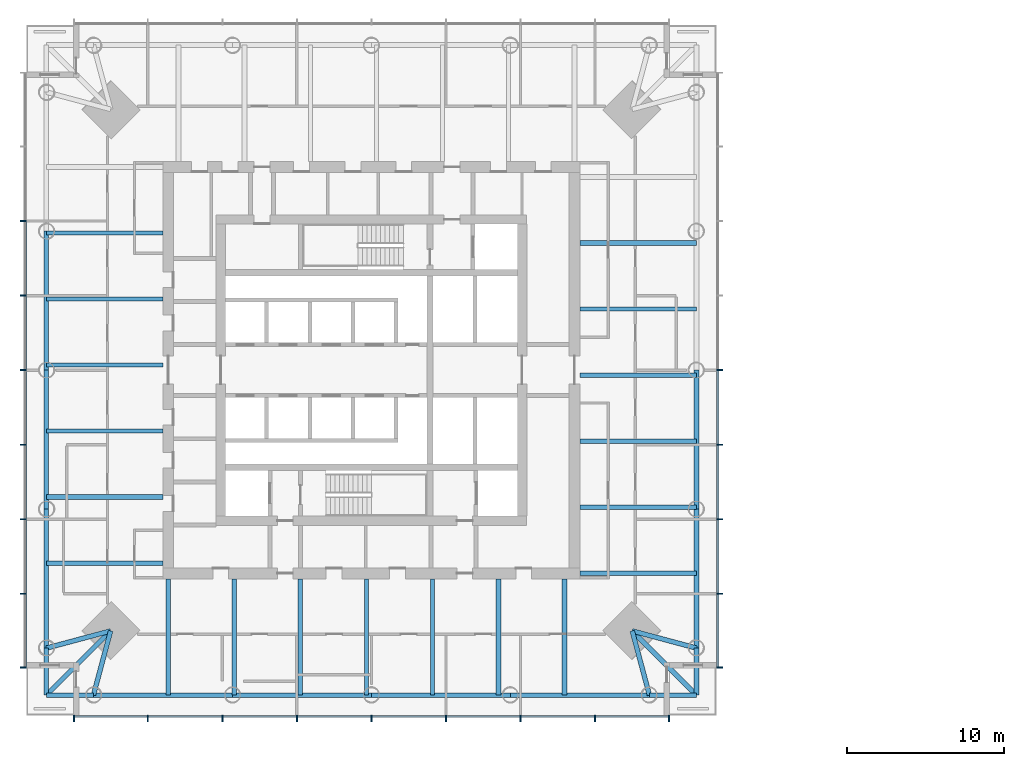
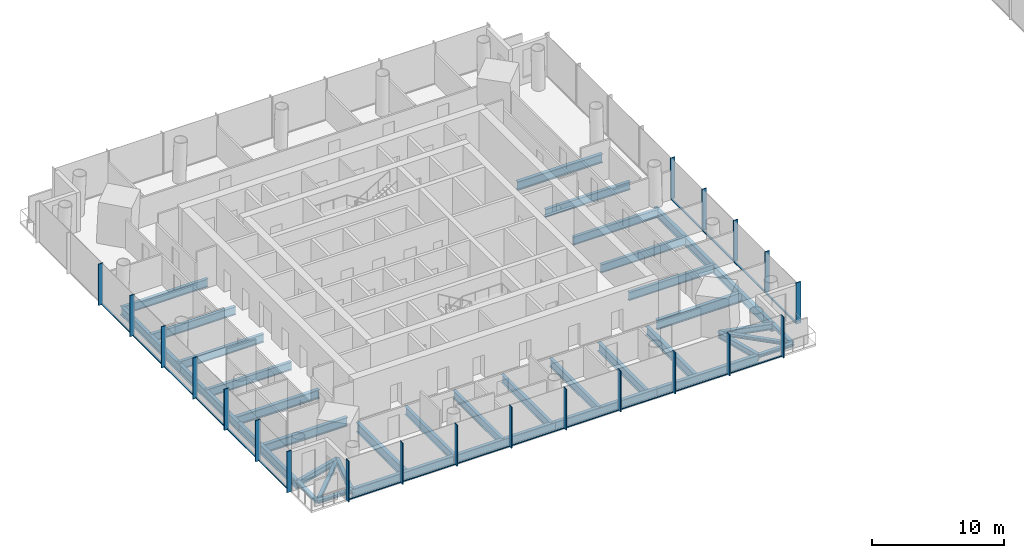
# One storey, part 2 of 18: 39 members, 38 beams, 3 elements without a shape of their own.
"""IFC4 building model written with IfcOpenShell, lengths in metres."""

from ifc_helpers import new_model, si_unit, direction, frame, origin, origin_2d, place, context, subcontext, project, spatial, rectangle, i_section, extrude, material, material_profile, profile_set, type_object, element, aggregate, save


model = new_model("IFC4")

# Units and contexts
model_context = context("Model", 3, precision=1e-05, world=origin(), true_north=direction((0.0, 1.0)))
body_context = subcontext(model_context, "Body", "Model", "MODEL_VIEW")
ifc_project = project(units=[si_unit("LENGTHUNIT", "METRE"), si_unit("AREAUNIT", "SQUARE_METRE"), si_unit("VOLUMEUNIT", "CUBIC_METRE"), si_unit("PLANEANGLEUNIT", "RADIAN"), si_unit("MASSUNIT", "GRAM", prefix="KILO")], contexts=[model_context])

# Site, building, storey
site_placement = place(None, origin())
site = spatial("IfcSite", under=ifc_project, at=site_placement, CompositionType="ELEMENT")
building_placement = place(site_placement, origin())
building = spatial("IfcBuilding", under=site, at=building_placement, Name="Ostroluk Exchange", CompositionType="ELEMENT")
storey_placement = place(building_placement, frame((0.0, 0.0, 123.60009765625)))
storey = spatial("IfcBuildingStorey", under=building, at=storey_placement, Name="L31", CompositionType="ELEMENT", Elevation=123.60009765625)

# Beams
ifc_material_1 = material(Name="Steel S355", Category="steel")
ifc_material_profile_1 = material_profile(ifc_material_1, i_section(OverallWidth=0.300048828125, OverallDepth=0.300048828125, WebThickness=0.010986328125, FlangeThickness=0.01904296875, FilletRadius=0.027099609375, at=origin_2d()), Name="HEB 300")
ifc_profile_set_1 = profile_set([ifc_material_profile_1], Name="Steel S355")
beam_type_1 = type_object("IfcBeamType", Name="Balcony beam HEB 300", PredefinedType="BEAM", material=ifc_profile_set_1)
for number, where, z_axis, x_axis, name in (
    (1, (24.278564453125, 28.278564453125, -0.330078125), (0.0, -1.0, 0.0), (1.0, 0.0, 0.0), "T1 west balcony beam a"),
    (2, (27.278564453125, 25.278564453125, -0.330078125), (-1.0, 0.0, 0.0), (0.0, -1.0, 0.0), "T1 west balcony beam b"),
):
    element("IfcBeam", number, at=place(storey_placement, frame(where, z_axis=z_axis, x_axis=x_axis)), inside=storey, type_object=beam_type_1, Name=name, PredefinedType="BEAM", context=body_context, shape_type="SweptSolid", body=[
        extrude(i_section(OverallWidth=0.300048828125, OverallDepth=0.300048828125, WebThickness=0.010986328125, FlangeThickness=0.01904296875, FilletRadius=0.027099609375, at=origin_2d()), origin(), (0.0, 0.0, 1.0), 3.0),
    ])
beam_1_placement = place(storey_placement, frame((28.378662109375, 29.378662109375, -0.330078125), z_axis=(-0.707106781187, -0.707106781187, 0.0), x_axis=(0.707106781187, -0.707106781187, 0.0)))
element("IfcBeam", 3, at=beam_1_placement, inside=storey, type_object=beam_type_1, Name="T1 west balcony beam c", PredefinedType="BEAM", context=body_context, shape_type="SweptSolid", body=[
    extrude(i_section(OverallWidth=0.300048828125, OverallDepth=0.300048828125, WebThickness=0.010986328125, FlangeThickness=0.01904296875, FilletRadius=0.027099609375, at=origin_2d()), origin(), (0.0, 0.0, 1.0), 5.79833984375),
])
for number, where, z_axis, x_axis, name in (
    (4, (62.721435546875, 25.278564453125, -0.330078125), (1.0, 0.0, 0.0), (0.0, 1.0, 0.0), "T1 south balcony beam a"),
    (5, (65.721435546875, 28.278564453125, -0.330078125), (0.0, -1.0, 0.0), (1.0, 0.0, 0.0), "T1 south balcony beam b"),
):
    element("IfcBeam", number, at=place(storey_placement, frame(where, z_axis=z_axis, x_axis=x_axis)), inside=storey, type_object=beam_type_1, Name=name, PredefinedType="BEAM", context=body_context, shape_type="SweptSolid", body=[
        extrude(i_section(OverallWidth=0.300048828125, OverallDepth=0.300048828125, WebThickness=0.010986328125, FlangeThickness=0.01904296875, FilletRadius=0.027099609375, at=origin_2d()), origin(), (0.0, 0.0, 1.0), 3.0),
    ])
beam_2_placement = place(storey_placement, frame((61.621337890625, 29.378662109375, -0.330078125), z_axis=(0.707106781187, -0.707106781187, 0.0), x_axis=(0.707106781187, 0.707106781187, 0.0)))
element("IfcBeam", 6, at=beam_2_placement, inside=storey, type_object=beam_type_1, Name="T1 south balcony beam c", PredefinedType="BEAM", context=body_context, shape_type="SweptSolid", body=[
    extrude(i_section(OverallWidth=0.300048828125, OverallDepth=0.300048828125, WebThickness=0.010986328125, FlangeThickness=0.01904296875, FilletRadius=0.027099609375, at=origin_2d()), origin(), (0.0, 0.0, 1.0), 5.79833984375),
])
ifc_material_2 = material(Name="Steel S355", Category="steel")
ifc_material_profile_2 = material_profile(ifc_material_2, i_section(OverallWidth=0.300048828125, OverallDepth=0.550048828125, WebThickness=0.014892578125, FlangeThickness=0.029052734375, FilletRadius=0.027099609375, at=origin_2d()), Name="HEB 550")
ifc_profile_set_2 = profile_set([ifc_material_profile_2], Name="Steel S355")
beam_type_2 = type_object("IfcBeamType", Name="Corner edge beam HEB 550", PredefinedType="SPANDREL", material=ifc_profile_set_2)
for number, where, z_axis, x_axis, name in (
    (7, (28.378662109375, 29.378662109375, -0.455078125), (-0.965838624319, -0.259144268261, 0.0), (0.259144268261, -0.965838624319, 0.0), "T1 west corner edge beam a"),
    (8, (28.378662109375, 29.378662109375, -0.455078125), (-0.259144268261, -0.965838624319, 0.0), (0.965838624319, -0.259144268261, 0.0), "T1 west corner edge beam b"),
    (9, (61.621337890625, 29.378662109375, -0.455078125), (0.259144268261, -0.965838624319, 0.0), (0.965838624319, 0.259144268261, 0.0), "T1 south corner edge beam a"),
    (10, (61.621337890625, 29.378662109375, -0.455078125), (0.965838624319, -0.259144268261, 0.0), (0.259144268261, 0.965838624319, 0.0), "T1 south corner edge beam b"),
):
    element("IfcBeam", number, at=place(storey_placement, frame(where, z_axis=z_axis, x_axis=x_axis)), inside=storey, type_object=beam_type_2, Name=name, PredefinedType="SPANDREL", context=body_context, shape_type="SweptSolid", body=[
        extrude(i_section(OverallWidth=0.300048828125, OverallDepth=0.550048828125, WebThickness=0.014892578125, FlangeThickness=0.029052734375, FilletRadius=0.027099609375, at=origin_2d()), origin(), (0.0, 0.0, 1.0), 4.2451171875),
    ])
ifc_material_3 = material(Name="Steel S355", Category="steel")
ifc_material_profile_3 = material_profile(ifc_material_3, i_section(OverallWidth=0.302978515625, OverallDepth=0.81396484375, WebThickness=0.02099609375, FlangeThickness=0.0400390625, FilletRadius=0.030029296875, at=origin_2d()), Name="HEM 800")
ifc_profile_set_3 = profile_set([ifc_material_profile_3], Name="Steel S355")
beam_type_3 = type_object("IfcBeamType", Name="Floor beam HEM 800", PredefinedType="BEAM", material=ifc_profile_set_3)
for number, where, z_axis, x_axis, name in (
    (11, (58.300048828125, 54.0947265625, -0.587158203125), (1.0, 0.0, 0.0), (0.0, 1.0, 0.0), "T1 east floor beam 5"),
    (12, (31.699951171875, 37.9052734375, -0.587158203125), (-1.0, 0.0, 0.0), (0.0, -1.0, 0.0), "T1 west floor beam 5"),
    (13, (31.699951171875, 33.696533203125, -0.587158203125), (-1.0, 0.0, 0.0), (0.0, -1.0, 0.0), "T1 west floor beam 6"),
    (14, (53.0947265625, 32.699951171875, -0.587158203125), (0.0, -1.0, 0.0), (1.0, 0.0, 0.0), "T1 south floor beam 5"),
    (15, (57.303466796875, 32.699951171875, -0.587158203125), (0.0, -1.0, 0.0), (1.0, 0.0, 0.0), "T1 south floor beam 6"),
):
    element("IfcBeam", number, at=place(storey_placement, frame(where, z_axis=z_axis, x_axis=x_axis)), inside=storey, type_object=beam_type_3, Name=name, PredefinedType="BEAM", context=body_context, shape_type="SweptSolid", body=[
        extrude(i_section(OverallWidth=0.302978515625, OverallDepth=0.81396484375, WebThickness=0.02099609375, FlangeThickness=0.0400390625, FilletRadius=0.030029296875, at=origin_2d()), origin(), (0.0, 0.0, 1.0), 7.42138671875),
    ])
ifc_material_4 = material(Name="Steel S355", Category="steel")
ifc_material_profile_4 = material_profile(ifc_material_4, i_section(OverallWidth=0.26708984375, OverallDepth=0.761962890625, WebThickness=0.014404296875, FlangeThickness=0.021484375, FilletRadius=0.01708984375, at=origin_2d()), Name="IPE 750x173")
ifc_profile_set_4 = profile_set([ifc_material_profile_4], Name="Steel S355")
beam_type_4 = type_object("IfcBeamType", Name="Floor beam IPE 750x173", PredefinedType="BEAM", material=ifc_profile_set_4)
for number, where, z_axis, x_axis, name in (
    (16, (58.300048828125, 37.259033203125, -0.56103515625), (1.0, 0.0, 0.0), (0.0, 1.0, 0.0), "T1 east floor beam 1"),
    (17, (58.300048828125, 41.4677734375, -0.56103515625), (1.0, 0.0, 0.0), (0.0, 1.0, 0.0), "T1 east floor beam 2"),
    (18, (58.300048828125, 45.6767578125, -0.56103515625), (1.0, 0.0, 0.0), (0.0, 1.0, 0.0), "T1 east floor beam 3"),
    (19, (58.300048828125, 49.8857421875, -0.56103515625), (1.0, 0.0, 0.0), (0.0, 1.0, 0.0), "T1 east floor beam 4"),
    (20, (31.699951171875, 54.740966796875, -0.56103515625), (-1.0, 0.0, 0.0), (0.0, -1.0, 0.0), "T1 west floor beam 1"),
    (21, (31.699951171875, 50.5322265625, -0.56103515625), (-1.0, 0.0, 0.0), (0.0, -1.0, 0.0), "T1 west floor beam 2"),
    (22, (31.699951171875, 46.3232421875, -0.56103515625), (-1.0, 0.0, 0.0), (0.0, -1.0, 0.0), "T1 west floor beam 3"),
    (23, (31.699951171875, 42.1142578125, -0.56103515625), (-1.0, 0.0, 0.0), (0.0, -1.0, 0.0), "T1 west floor beam 4"),
    (24, (36.259033203125, 32.699951171875, -0.56103515625), (0.0, -1.0, 0.0), (1.0, 0.0, 0.0), "T1 south floor beam 1"),
    (25, (40.4677734375, 32.699951171875, -0.56103515625), (0.0, -1.0, 0.0), (1.0, 0.0, 0.0), "T1 south floor beam 2"),
    (26, (44.6767578125, 32.699951171875, -0.56103515625), (0.0, -1.0, 0.0), (1.0, 0.0, 0.0), "T1 south floor beam 3"),
    (27, (48.8857421875, 32.699951171875, -0.56103515625), (0.0, -1.0, 0.0), (1.0, 0.0, 0.0), "T1 south floor beam 4"),
):
    element("IfcBeam", number, at=place(storey_placement, frame(where, z_axis=z_axis, x_axis=x_axis)), inside=storey, type_object=beam_type_4, Name=name, PredefinedType="BEAM", context=body_context, shape_type="SweptSolid", body=[
        extrude(i_section(OverallWidth=0.26708984375, OverallDepth=0.761962890625, WebThickness=0.014404296875, FlangeThickness=0.021484375, FilletRadius=0.01708984375, at=origin_2d()), origin(), (0.0, 0.0, 1.0), 7.42138671875),
    ])
ifc_material_5 = material(Name="Steel S355", Category="steel")
ifc_material_profile_5 = material_profile(ifc_material_5, i_section(OverallWidth=0.300048828125, OverallDepth=0.89990234375, WebThickness=0.0185546875, FlangeThickness=0.034912109375, FilletRadius=0.030029296875, at=origin_2d()), Name="HEB 900")
ifc_profile_set_5 = profile_set([ifc_material_profile_5], Name="Steel S355")
beam_type_5 = type_object("IfcBeamType", Name="Girder HEB 900", PredefinedType="BEAM", material=ifc_profile_set_5)
for number, where, z_axis, x_axis, name in (
    (28, (32.050048828125, 32.699951171875, -0.630126953125), (0.0, -1.0, 0.0), (1.0, 0.0, 0.0), "T1 west girder"),
    (29, (58.300048828125, 33.050048828125, -0.630126953125), (1.0, 0.0, 0.0), (0.0, 1.0, 0.0), "T1 south girder"),
):
    element("IfcBeam", number, at=place(storey_placement, frame(where, z_axis=z_axis, x_axis=x_axis)), inside=storey, type_object=beam_type_5, Name=name, PredefinedType="BEAM", context=body_context, shape_type="SweptSolid", body=[
        extrude(i_section(OverallWidth=0.300048828125, OverallDepth=0.89990234375, WebThickness=0.0185546875, FlangeThickness=0.034912109375, FilletRadius=0.030029296875, at=origin_2d()), origin(), (0.0, 0.0, 1.0), 7.42138671875),
    ])
ifc_material_6 = material(Name="Steel S355", Category="steel")
ifc_material_profile_6 = material_profile(ifc_material_6, i_section(OverallWidth=0.300048828125, OverallDepth=0.800048828125, WebThickness=0.017578125, FlangeThickness=0.032958984375, FilletRadius=0.030029296875, at=origin_2d()), Name="HEB 800")
ifc_profile_set_6 = profile_set([ifc_material_profile_6], Name="Steel S355")
beam_type_6 = type_object("IfcBeamType", Name="Moment-connected edge beam HEB 800", PredefinedType="SPANDREL", material=ifc_profile_set_6)
beam_3_placement = place(storey_placement, frame((65.721435546875, 28.278564453125, -0.580078125), z_axis=(0.0, 1.0, 0.0), x_axis=(-1.0, 0.0, 0.0)))
element("IfcBeam", 30, at=beam_3_placement, inside=storey, type_object=beam_type_6, Name="T1 east edge beam 1", PredefinedType="SPANDREL", context=body_context, shape_type="SweptSolid", body=[
    extrude(i_section(OverallWidth=0.300048828125, OverallDepth=0.800048828125, WebThickness=0.017578125, FlangeThickness=0.032958984375, FilletRadius=0.030029296875, at=origin_2d()), origin(), (0.0, 0.0, 1.0), 8.86083984375),
])
for number, where, z_axis, x_axis, name in (
    (31, (65.721435546875, 37.139404296875, -0.580078125), (0.0, 1.0, 0.0), (-1.0, 0.0, 0.0), "T1 east edge beam 2"),
    (32, (24.278564453125, 54.860595703125, -0.580078125), (0.0, -1.0, 0.0), (1.0, 0.0, 0.0), "T1 west edge beam 2"),
    (33, (24.278564453125, 46.0, -0.580078125), (0.0, -1.0, 0.0), (1.0, 0.0, 0.0), "T1 west edge beam 3"),
):
    element("IfcBeam", number, at=place(storey_placement, frame(where, z_axis=z_axis, x_axis=x_axis)), inside=storey, type_object=beam_type_6, Name=name, PredefinedType="SPANDREL", context=body_context, shape_type="SweptSolid", body=[
        extrude(i_section(OverallWidth=0.300048828125, OverallDepth=0.800048828125, WebThickness=0.017578125, FlangeThickness=0.032958984375, FilletRadius=0.030029296875, at=origin_2d()), origin(), (0.0, 0.0, 1.0), 8.860595703125),
    ])
for number, where, z_axis, x_axis, name in (
    (34, (24.278564453125, 37.139404296875, -0.580078125), (0.0, -1.0, 0.0), (1.0, 0.0, 0.0), "T1 west edge beam 4"),
    (35, (27.278564453125, 25.278564453125, -0.580078125), (1.0, 0.0, 0.0), (0.0, 1.0, 0.0), "T1 south edge beam 1"),
):
    element("IfcBeam", number, at=place(storey_placement, frame(where, z_axis=z_axis, x_axis=x_axis)), inside=storey, type_object=beam_type_6, Name=name, PredefinedType="SPANDREL", context=body_context, shape_type="SweptSolid", body=[
        extrude(i_section(OverallWidth=0.300048828125, OverallDepth=0.800048828125, WebThickness=0.017578125, FlangeThickness=0.032958984375, FilletRadius=0.030029296875, at=origin_2d()), origin(), (0.0, 0.0, 1.0), 8.86083984375),
    ])
for number, where, z_axis, x_axis, name in (
    (36, (36.139404296875, 25.278564453125, -0.580078125), (1.0, 0.0, 0.0), (0.0, 1.0, 0.0), "T1 south edge beam 2"),
    (37, (45.0, 25.278564453125, -0.580078125), (1.0, 0.0, 0.0), (0.0, 1.0, 0.0), "T1 south edge beam 3"),
):
    element("IfcBeam", number, at=place(storey_placement, frame(where, z_axis=z_axis, x_axis=x_axis)), inside=storey, type_object=beam_type_6, Name=name, PredefinedType="SPANDREL", context=body_context, shape_type="SweptSolid", body=[
        extrude(i_section(OverallWidth=0.300048828125, OverallDepth=0.800048828125, WebThickness=0.017578125, FlangeThickness=0.032958984375, FilletRadius=0.030029296875, at=origin_2d()), origin(), (0.0, 0.0, 1.0), 8.860595703125),
    ])
beam_4_placement = place(storey_placement, frame((53.860595703125, 25.278564453125, -0.580078125), z_axis=(1.0, 0.0, 0.0), x_axis=(0.0, 1.0, 0.0)))
element("IfcBeam", 38, at=beam_4_placement, inside=storey, type_object=beam_type_6, Name="T1 south edge beam 4", PredefinedType="SPANDREL", context=body_context, shape_type="SweptSolid", body=[
    extrude(i_section(OverallWidth=0.300048828125, OverallDepth=0.800048828125, WebThickness=0.017578125, FlangeThickness=0.032958984375, FilletRadius=0.030029296875, at=origin_2d()), origin(), (0.0, 0.0, 1.0), 8.86083984375),
])

# Curtain wall, members
ifc_material_7 = material(Name="Laminated clear glass", Category="glass")
curtain_wall_type = type_object("IfcCurtainWallType", Name="Office tower facade", PredefinedType="USERDEFINED", material=ifc_material_7)
curtain_wall_1_placement = place(storey_placement, origin())
curtain_wall_1 = element("IfcCurtainWall", 39, at=curtain_wall_1_placement, inside=storey, type_object=curtain_wall_type, Name="Office tower south facade L31", ObjectType="UNITISED CURTAIN WALL", PredefinedType="USERDEFINED")
ifc_material_8 = material(Name="Aluminium mullion", Category="aluminium")
ifc_material_profile_7 = material_profile(ifc_material_8, rectangle(XDim=0.14990234375, YDim=0.080078125, at=origin_2d()), Name="Sill transom 80 x 150")
ifc_profile_set_7 = profile_set([ifc_material_profile_7], Name="Aluminium mullion")
member_type_1 = type_object("IfcMemberType", Name="Sill transom 80 x 150", PredefinedType="USERDEFINED", material=ifc_profile_set_7)
member_1_placement = place(storey_placement, frame((26.080078125, 23.925048828125, 0.039794921875), z_axis=(1.0, 0.0, 0.0), x_axis=(0.0, 1.0, 0.0)))
member_1 = element("IfcMember", 40, at=member_1_placement, type_object=member_type_1, Name="CW-O1 transom 1.1", ObjectType="TRANSOM", PredefinedType="USERDEFINED", context=body_context, shape_type="SweptSolid", body=[
    extrude(rectangle(XDim=0.14990234375, YDim=0.080078125, at=origin_2d()), origin(), (0.0, 0.0, 1.0), 4.6298828125),
])
member_2_placement = place(storey_placement, frame((30.7900390625, 23.925048828125, 0.039794921875), z_axis=(1.0, 0.0, 0.0), x_axis=(0.0, 1.0, 0.0)))
member_2 = element("IfcMember", 41, at=member_2_placement, type_object=member_type_1, Name="CW-O1 transom 2.1", ObjectType="TRANSOM", PredefinedType="USERDEFINED", context=body_context, shape_type="SweptSolid", body=[
    extrude(rectangle(XDim=0.14990234375, YDim=0.080078125, at=origin_2d()), origin(), (0.0, 0.0, 1.0), 4.669921875),
])
member_3_placement = place(storey_placement, frame((35.5400390625, 23.925048828125, 0.039794921875), z_axis=(1.0, 0.0, 0.0), x_axis=(0.0, 1.0, 0.0)))
member_3 = element("IfcMember", 42, at=member_3_placement, type_object=member_type_1, Name="CW-O1 transom 3.1", ObjectType="TRANSOM", PredefinedType="USERDEFINED", context=body_context, shape_type="SweptSolid", body=[
    extrude(rectangle(XDim=0.14990234375, YDim=0.080078125, at=origin_2d()), origin(), (0.0, 0.0, 1.0), 4.669921875),
])
member_4_placement = place(storey_placement, frame((40.2900390625, 23.925048828125, 0.039794921875), z_axis=(1.0, 0.0, 0.0), x_axis=(0.0, 1.0, 0.0)))
member_4 = element("IfcMember", 43, at=member_4_placement, type_object=member_type_1, Name="CW-O1 transom 4.1", ObjectType="TRANSOM", PredefinedType="USERDEFINED", context=body_context, shape_type="SweptSolid", body=[
    extrude(rectangle(XDim=0.14990234375, YDim=0.080078125, at=origin_2d()), origin(), (0.0, 0.0, 1.0), 4.669921875),
])
member_5_placement = place(storey_placement, frame((45.0400390625, 23.925048828125, 0.039794921875), z_axis=(1.0, 0.0, 0.0), x_axis=(0.0, 1.0, 0.0)))
member_5 = element("IfcMember", 44, at=member_5_placement, type_object=member_type_1, Name="CW-O1 transom 5.1", ObjectType="TRANSOM", PredefinedType="USERDEFINED", context=body_context, shape_type="SweptSolid", body=[
    extrude(rectangle(XDim=0.14990234375, YDim=0.080078125, at=origin_2d()), origin(), (0.0, 0.0, 1.0), 4.669921875),
])
member_6_placement = place(storey_placement, frame((49.7900390625, 23.925048828125, 0.039794921875), z_axis=(1.0, 0.0, 0.0), x_axis=(0.0, 1.0, 0.0)))
member_6 = element("IfcMember", 45, at=member_6_placement, type_object=member_type_1, Name="CW-O1 transom 6.1", ObjectType="TRANSOM", PredefinedType="USERDEFINED", context=body_context, shape_type="SweptSolid", body=[
    extrude(rectangle(XDim=0.14990234375, YDim=0.080078125, at=origin_2d()), origin(), (0.0, 0.0, 1.0), 4.669921875),
])
member_7_placement = place(storey_placement, frame((54.5400390625, 23.925048828125, 0.039794921875), z_axis=(1.0, 0.0, 0.0), x_axis=(0.0, 1.0, 0.0)))
member_7 = element("IfcMember", 46, at=member_7_placement, type_object=member_type_1, Name="CW-O1 transom 7.1", ObjectType="TRANSOM", PredefinedType="USERDEFINED", context=body_context, shape_type="SweptSolid", body=[
    extrude(rectangle(XDim=0.14990234375, YDim=0.080078125, at=origin_2d()), origin(), (0.0, 0.0, 1.0), 4.669921875),
])
member_8_placement = place(storey_placement, frame((59.2900390625, 23.925048828125, 0.039794921875), z_axis=(1.0, 0.0, 0.0), x_axis=(0.0, 1.0, 0.0)))
member_8 = element("IfcMember", 47, at=member_8_placement, type_object=member_type_1, Name="CW-O1 transom 8.1", ObjectType="TRANSOM", PredefinedType="USERDEFINED", context=body_context, shape_type="SweptSolid", body=[
    extrude(rectangle(XDim=0.14990234375, YDim=0.080078125, at=origin_2d()), origin(), (0.0, 0.0, 1.0), 4.6298828125),
])

curtain_wall_2_placement = place(storey_placement, origin())
curtain_wall_2 = element("IfcCurtainWall", 48, at=curtain_wall_2_placement, inside=storey, type_object=curtain_wall_type, Name="Office tower east facade L31", ObjectType="UNITISED CURTAIN WALL", PredefinedType="USERDEFINED")
member_9_placement = place(storey_placement, frame((67.074951171875, 27.080078125, 0.039794921875), z_axis=(0.0, 1.0, 0.0), x_axis=(-1.0, 0.0, 0.0)))
member_9 = element("IfcMember", 49, at=member_9_placement, type_object=member_type_1, Name="CW-O1 transom 1.1", ObjectType="TRANSOM", PredefinedType="USERDEFINED", context=body_context, shape_type="SweptSolid", body=[
    extrude(rectangle(XDim=0.14990234375, YDim=0.080078125, at=origin_2d()), origin(), (0.0, 0.0, 1.0), 4.6298828125),
])
member_10_placement = place(storey_placement, frame((67.074951171875, 31.7900390625, 0.039794921875), z_axis=(0.0, 1.0, 0.0), x_axis=(-1.0, 0.0, 0.0)))
member_10 = element("IfcMember", 50, at=member_10_placement, type_object=member_type_1, Name="CW-O1 transom 2.1", ObjectType="TRANSOM", PredefinedType="USERDEFINED", context=body_context, shape_type="SweptSolid", body=[
    extrude(rectangle(XDim=0.14990234375, YDim=0.080078125, at=origin_2d()), origin(), (0.0, 0.0, 1.0), 4.669921875),
])
member_11_placement = place(storey_placement, frame((67.074951171875, 36.5400390625, 0.039794921875), z_axis=(0.0, 1.0, 0.0), x_axis=(-1.0, 0.0, 0.0)))
member_11 = element("IfcMember", 51, at=member_11_placement, type_object=member_type_1, Name="CW-O1 transom 3.1", ObjectType="TRANSOM", PredefinedType="USERDEFINED", context=body_context, shape_type="SweptSolid", body=[
    extrude(rectangle(XDim=0.14990234375, YDim=0.080078125, at=origin_2d()), origin(), (0.0, 0.0, 1.0), 4.669921875),
])
member_12_placement = place(storey_placement, frame((67.074951171875, 41.2900390625, 0.039794921875), z_axis=(0.0, 1.0, 0.0), x_axis=(-1.0, 0.0, 0.0)))
member_12 = element("IfcMember", 52, at=member_12_placement, type_object=member_type_1, Name="CW-O1 transom 4.1", ObjectType="TRANSOM", PredefinedType="USERDEFINED", context=body_context, shape_type="SweptSolid", body=[
    extrude(rectangle(XDim=0.14990234375, YDim=0.080078125, at=origin_2d()), origin(), (0.0, 0.0, 1.0), 4.669921875),
])

curtain_wall_3_placement = place(storey_placement, origin())
curtain_wall_3 = element("IfcCurtainWall", 53, at=curtain_wall_3_placement, inside=storey, type_object=curtain_wall_type, Name="Office tower west facade L31", ObjectType="UNITISED CURTAIN WALL", PredefinedType="USERDEFINED")
member_13_placement = place(storey_placement, frame((22.925048828125, 55.4599609375, 0.039794921875), z_axis=(0.0, -1.0, 0.0), x_axis=(1.0, 0.0, 0.0)))
member_13 = element("IfcMember", 54, at=member_13_placement, type_object=member_type_1, Name="CW-O1 transom 3.1", ObjectType="TRANSOM", PredefinedType="USERDEFINED", context=body_context, shape_type="SweptSolid", body=[
    extrude(rectangle(XDim=0.14990234375, YDim=0.080078125, at=origin_2d()), origin(), (0.0, 0.0, 1.0), 4.669921875),
])
member_14_placement = place(storey_placement, frame((22.925048828125, 50.7099609375, 0.039794921875), z_axis=(0.0, -1.0, 0.0), x_axis=(1.0, 0.0, 0.0)))
member_14 = element("IfcMember", 55, at=member_14_placement, type_object=member_type_1, Name="CW-O1 transom 4.1", ObjectType="TRANSOM", PredefinedType="USERDEFINED", context=body_context, shape_type="SweptSolid", body=[
    extrude(rectangle(XDim=0.14990234375, YDim=0.080078125, at=origin_2d()), origin(), (0.0, 0.0, 1.0), 4.669921875),
])
member_15_placement = place(storey_placement, frame((22.925048828125, 45.9599609375, 0.039794921875), z_axis=(0.0, -1.0, 0.0), x_axis=(1.0, 0.0, 0.0)))
member_15 = element("IfcMember", 56, at=member_15_placement, type_object=member_type_1, Name="CW-O1 transom 5.1", ObjectType="TRANSOM", PredefinedType="USERDEFINED", context=body_context, shape_type="SweptSolid", body=[
    extrude(rectangle(XDim=0.14990234375, YDim=0.080078125, at=origin_2d()), origin(), (0.0, 0.0, 1.0), 4.669921875),
])
member_16_placement = place(storey_placement, frame((22.925048828125, 41.2099609375, 0.039794921875), z_axis=(0.0, -1.0, 0.0), x_axis=(1.0, 0.0, 0.0)))
member_16 = element("IfcMember", 57, at=member_16_placement, type_object=member_type_1, Name="CW-O1 transom 6.1", ObjectType="TRANSOM", PredefinedType="USERDEFINED", context=body_context, shape_type="SweptSolid", body=[
    extrude(rectangle(XDim=0.14990234375, YDim=0.080078125, at=origin_2d()), origin(), (0.0, 0.0, 1.0), 4.669921875),
])
member_17_placement = place(storey_placement, frame((22.925048828125, 36.4599609375, 0.039794921875), z_axis=(0.0, -1.0, 0.0), x_axis=(1.0, 0.0, 0.0)))
member_17 = element("IfcMember", 58, at=member_17_placement, type_object=member_type_1, Name="CW-O1 transom 7.1", ObjectType="TRANSOM", PredefinedType="USERDEFINED", context=body_context, shape_type="SweptSolid", body=[
    extrude(rectangle(XDim=0.14990234375, YDim=0.080078125, at=origin_2d()), origin(), (0.0, 0.0, 1.0), 4.669921875),
])
member_18_placement = place(storey_placement, frame((22.925048828125, 31.7099609375, 0.039794921875), z_axis=(0.0, -1.0, 0.0), x_axis=(1.0, 0.0, 0.0)))
member_18 = element("IfcMember", 59, at=member_18_placement, type_object=member_type_1, Name="CW-O1 transom 8.1", ObjectType="TRANSOM", PredefinedType="USERDEFINED", context=body_context, shape_type="SweptSolid", body=[
    extrude(rectangle(XDim=0.14990234375, YDim=0.080078125, at=origin_2d()), origin(), (0.0, 0.0, 1.0), 4.6298828125),
])

# Member
ifc_material_9 = material(Name="Aluminium mullion with limestone facing", Category="masonry")
ifc_material_profile_8 = material_profile(ifc_material_9, rectangle(XDim=0.39990234375, YDim=0.080078125, at=origin_2d()), Name="Tracery mullion 80 x 400")
ifc_profile_set_8 = profile_set([ifc_material_profile_8], Name="Aluminium mullion with limestone facing")
member_type_2 = type_object("IfcMemberType", Name="Tracery mullion 80 x 400", PredefinedType="MULLION", material=ifc_profile_set_8)
member_19_placement = place(storey_placement, frame((26.0400390625, 23.800048828125, 0.0), z_axis=(0.0, 0.0, 1.0), x_axis=(0.0, 1.0, 0.0)))
member_19 = element("IfcMember", 60, at=member_19_placement, type_object=member_type_2, Name="CW-O1 mullion 1", PredefinedType="MULLION", context=body_context, shape_type="SweptSolid", body=[
    extrude(rectangle(XDim=0.39990234375, YDim=0.080078125, at=origin_2d()), origin(), (0.0, 0.0, 1.0), 3.7998046875),
])

member_20_placement = place(storey_placement, frame((30.75, 23.800048828125, 0.0), z_axis=(0.0, 0.0, 1.0), x_axis=(0.0, 1.0, 0.0)))
member_20 = element("IfcMember", 61, at=member_20_placement, type_object=member_type_2, Name="CW-O1 mullion 2", PredefinedType="MULLION", context=body_context, shape_type="SweptSolid", body=[
    extrude(rectangle(XDim=0.39990234375, YDim=0.080078125, at=origin_2d()), origin(), (0.0, 0.0, 1.0), 3.7998046875),
])

member_21_placement = place(storey_placement, frame((35.5, 23.800048828125, 0.0), z_axis=(0.0, 0.0, 1.0), x_axis=(0.0, 1.0, 0.0)))
member_21 = element("IfcMember", 62, at=member_21_placement, type_object=member_type_2, Name="CW-O1 mullion 3", PredefinedType="MULLION", context=body_context, shape_type="SweptSolid", body=[
    extrude(rectangle(XDim=0.39990234375, YDim=0.080078125, at=origin_2d()), origin(), (0.0, 0.0, 1.0), 3.7998046875),
])

member_22_placement = place(storey_placement, frame((40.25, 23.800048828125, 0.0), z_axis=(0.0, 0.0, 1.0), x_axis=(0.0, 1.0, 0.0)))
member_22 = element("IfcMember", 63, at=member_22_placement, type_object=member_type_2, Name="CW-O1 mullion 4", PredefinedType="MULLION", context=body_context, shape_type="SweptSolid", body=[
    extrude(rectangle(XDim=0.39990234375, YDim=0.080078125, at=origin_2d()), origin(), (0.0, 0.0, 1.0), 3.7998046875),
])

member_23_placement = place(storey_placement, frame((45.0, 23.800048828125, 0.0), z_axis=(0.0, 0.0, 1.0), x_axis=(0.0, 1.0, 0.0)))
member_23 = element("IfcMember", 64, at=member_23_placement, type_object=member_type_2, Name="CW-O1 mullion 5", PredefinedType="MULLION", context=body_context, shape_type="SweptSolid", body=[
    extrude(rectangle(XDim=0.39990234375, YDim=0.080078125, at=origin_2d()), origin(), (0.0, 0.0, 1.0), 3.7998046875),
])

member_24_placement = place(storey_placement, frame((49.75, 23.800048828125, 0.0), z_axis=(0.0, 0.0, 1.0), x_axis=(0.0, 1.0, 0.0)))
member_24 = element("IfcMember", 65, at=member_24_placement, type_object=member_type_2, Name="CW-O1 mullion 6", PredefinedType="MULLION", context=body_context, shape_type="SweptSolid", body=[
    extrude(rectangle(XDim=0.39990234375, YDim=0.080078125, at=origin_2d()), origin(), (0.0, 0.0, 1.0), 3.7998046875),
])

member_25_placement = place(storey_placement, frame((54.5, 23.800048828125, 0.0), z_axis=(0.0, 0.0, 1.0), x_axis=(0.0, 1.0, 0.0)))
member_25 = element("IfcMember", 66, at=member_25_placement, type_object=member_type_2, Name="CW-O1 mullion 7", PredefinedType="MULLION", context=body_context, shape_type="SweptSolid", body=[
    extrude(rectangle(XDim=0.39990234375, YDim=0.080078125, at=origin_2d()), origin(), (0.0, 0.0, 1.0), 3.7998046875),
])

member_26_placement = place(storey_placement, frame((59.25, 23.800048828125, 0.0), z_axis=(0.0, 0.0, 1.0), x_axis=(0.0, 1.0, 0.0)))
member_26 = element("IfcMember", 67, at=member_26_placement, type_object=member_type_2, Name="CW-O1 mullion 8", PredefinedType="MULLION", context=body_context, shape_type="SweptSolid", body=[
    extrude(rectangle(XDim=0.39990234375, YDim=0.080078125, at=origin_2d()), origin(), (0.0, 0.0, 1.0), 3.7998046875),
])

member_27_placement = place(storey_placement, frame((63.9599609375, 23.800048828125, 0.0), z_axis=(0.0, 0.0, 1.0), x_axis=(0.0, 1.0, 0.0)))
member_27 = element("IfcMember", 68, at=member_27_placement, type_object=member_type_2, Name="CW-O1 mullion 9", PredefinedType="MULLION", context=body_context, shape_type="SweptSolid", body=[
    extrude(rectangle(XDim=0.39990234375, YDim=0.080078125, at=origin_2d()), origin(), (0.0, 0.0, 1.0), 3.7998046875),
])

aggregate(curtain_wall_1, [member_19, member_20, member_21, member_22, member_23, member_24, member_25, member_26, member_27, member_1, member_2, member_3, member_4, member_5, member_6, member_7, member_8])

member_28_placement = place(storey_placement, frame((67.199951171875, 27.0400390625, 0.0), z_axis=(0.0, 0.0, 1.0), x_axis=(-1.0, 0.0, 0.0)))
member_28 = element("IfcMember", 69, at=member_28_placement, type_object=member_type_2, Name="CW-O1 mullion 1", PredefinedType="MULLION", context=body_context, shape_type="SweptSolid", body=[
    extrude(rectangle(XDim=0.39990234375, YDim=0.080078125, at=origin_2d()), origin(), (0.0, 0.0, 1.0), 3.7998046875),
])

member_29_placement = place(storey_placement, frame((67.199951171875, 31.75, 0.0), z_axis=(0.0, 0.0, 1.0), x_axis=(-1.0, 0.0, 0.0)))
member_29 = element("IfcMember", 70, at=member_29_placement, type_object=member_type_2, Name="CW-O1 mullion 2", PredefinedType="MULLION", context=body_context, shape_type="SweptSolid", body=[
    extrude(rectangle(XDim=0.39990234375, YDim=0.080078125, at=origin_2d()), origin(), (0.0, 0.0, 1.0), 3.7998046875),
])

member_30_placement = place(storey_placement, frame((67.199951171875, 36.5, 0.0), z_axis=(0.0, 0.0, 1.0), x_axis=(-1.0, 0.0, 0.0)))
member_30 = element("IfcMember", 71, at=member_30_placement, type_object=member_type_2, Name="CW-O1 mullion 3", PredefinedType="MULLION", context=body_context, shape_type="SweptSolid", body=[
    extrude(rectangle(XDim=0.39990234375, YDim=0.080078125, at=origin_2d()), origin(), (0.0, 0.0, 1.0), 3.7998046875),
])

member_31_placement = place(storey_placement, frame((67.199951171875, 41.25, 0.0), z_axis=(0.0, 0.0, 1.0), x_axis=(-1.0, 0.0, 0.0)))
member_31 = element("IfcMember", 72, at=member_31_placement, type_object=member_type_2, Name="CW-O1 mullion 4", PredefinedType="MULLION", context=body_context, shape_type="SweptSolid", body=[
    extrude(rectangle(XDim=0.39990234375, YDim=0.080078125, at=origin_2d()), origin(), (0.0, 0.0, 1.0), 3.7998046875),
])

member_32_placement = place(storey_placement, frame((67.199951171875, 46.0, 0.0), z_axis=(0.0, 0.0, 1.0), x_axis=(-1.0, 0.0, 0.0)))
member_32 = element("IfcMember", 73, at=member_32_placement, type_object=member_type_2, Name="CW-O1 mullion 5", PredefinedType="MULLION", context=body_context, shape_type="SweptSolid", body=[
    extrude(rectangle(XDim=0.39990234375, YDim=0.080078125, at=origin_2d()), origin(), (0.0, 0.0, 1.0), 3.7998046875),
])

aggregate(curtain_wall_2, [member_28, member_29, member_30, member_31, member_32, member_9, member_10, member_11, member_12])

member_33_placement = place(storey_placement, frame((22.800048828125, 55.5, 0.0), z_axis=(0.0, 0.0, 1.0), x_axis=(1.0, 0.0, 0.0)))
member_33 = element("IfcMember", 74, at=member_33_placement, type_object=member_type_2, Name="CW-O1 mullion 3", PredefinedType="MULLION", context=body_context, shape_type="SweptSolid", body=[
    extrude(rectangle(XDim=0.39990234375, YDim=0.080078125, at=origin_2d()), origin(), (0.0, 0.0, 1.0), 3.7998046875),
])

member_34_placement = place(storey_placement, frame((22.800048828125, 50.75, 0.0), z_axis=(0.0, 0.0, 1.0), x_axis=(1.0, 0.0, 0.0)))
member_34 = element("IfcMember", 75, at=member_34_placement, type_object=member_type_2, Name="CW-O1 mullion 4", PredefinedType="MULLION", context=body_context, shape_type="SweptSolid", body=[
    extrude(rectangle(XDim=0.39990234375, YDim=0.080078125, at=origin_2d()), origin(), (0.0, 0.0, 1.0), 3.7998046875),
])

member_35_placement = place(storey_placement, frame((22.800048828125, 46.0, 0.0), z_axis=(0.0, 0.0, 1.0), x_axis=(1.0, 0.0, 0.0)))
member_35 = element("IfcMember", 76, at=member_35_placement, type_object=member_type_2, Name="CW-O1 mullion 5", PredefinedType="MULLION", context=body_context, shape_type="SweptSolid", body=[
    extrude(rectangle(XDim=0.39990234375, YDim=0.080078125, at=origin_2d()), origin(), (0.0, 0.0, 1.0), 3.7998046875),
])

member_36_placement = place(storey_placement, frame((22.800048828125, 41.25, 0.0), z_axis=(0.0, 0.0, 1.0), x_axis=(1.0, 0.0, 0.0)))
member_36 = element("IfcMember", 77, at=member_36_placement, type_object=member_type_2, Name="CW-O1 mullion 6", PredefinedType="MULLION", context=body_context, shape_type="SweptSolid", body=[
    extrude(rectangle(XDim=0.39990234375, YDim=0.080078125, at=origin_2d()), origin(), (0.0, 0.0, 1.0), 3.7998046875),
])

member_37_placement = place(storey_placement, frame((22.800048828125, 36.5, 0.0), z_axis=(0.0, 0.0, 1.0), x_axis=(1.0, 0.0, 0.0)))
member_37 = element("IfcMember", 78, at=member_37_placement, type_object=member_type_2, Name="CW-O1 mullion 7", PredefinedType="MULLION", context=body_context, shape_type="SweptSolid", body=[
    extrude(rectangle(XDim=0.39990234375, YDim=0.080078125, at=origin_2d()), origin(), (0.0, 0.0, 1.0), 3.7998046875),
])

member_38_placement = place(storey_placement, frame((22.800048828125, 31.75, 0.0), z_axis=(0.0, 0.0, 1.0), x_axis=(1.0, 0.0, 0.0)))
member_38 = element("IfcMember", 79, at=member_38_placement, type_object=member_type_2, Name="CW-O1 mullion 8", PredefinedType="MULLION", context=body_context, shape_type="SweptSolid", body=[
    extrude(rectangle(XDim=0.39990234375, YDim=0.080078125, at=origin_2d()), origin(), (0.0, 0.0, 1.0), 3.7998046875),
])

member_39_placement = place(storey_placement, frame((22.800048828125, 27.0400390625, 0.0), z_axis=(0.0, 0.0, 1.0), x_axis=(1.0, 0.0, 0.0)))
member_39 = element("IfcMember", 80, at=member_39_placement, type_object=member_type_2, Name="CW-O1 mullion 9", PredefinedType="MULLION", context=body_context, shape_type="SweptSolid", body=[
    extrude(rectangle(XDim=0.39990234375, YDim=0.080078125, at=origin_2d()), origin(), (0.0, 0.0, 1.0), 3.7998046875),
])

aggregate(curtain_wall_3, [member_33, member_34, member_35, member_36, member_37, member_38, member_39, member_13, member_14, member_15, member_16, member_17, member_18])

save(model, "model.ifc")
